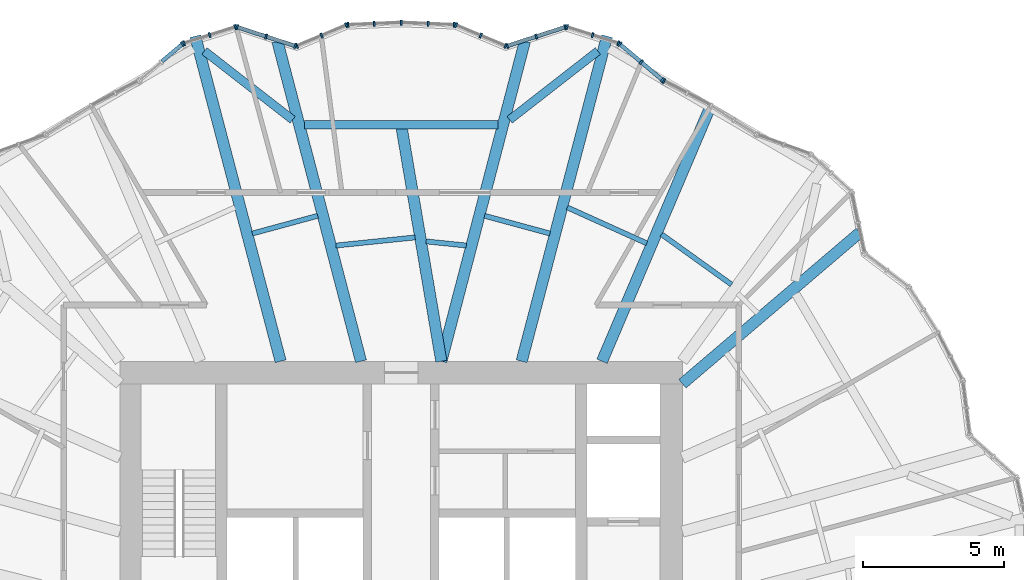
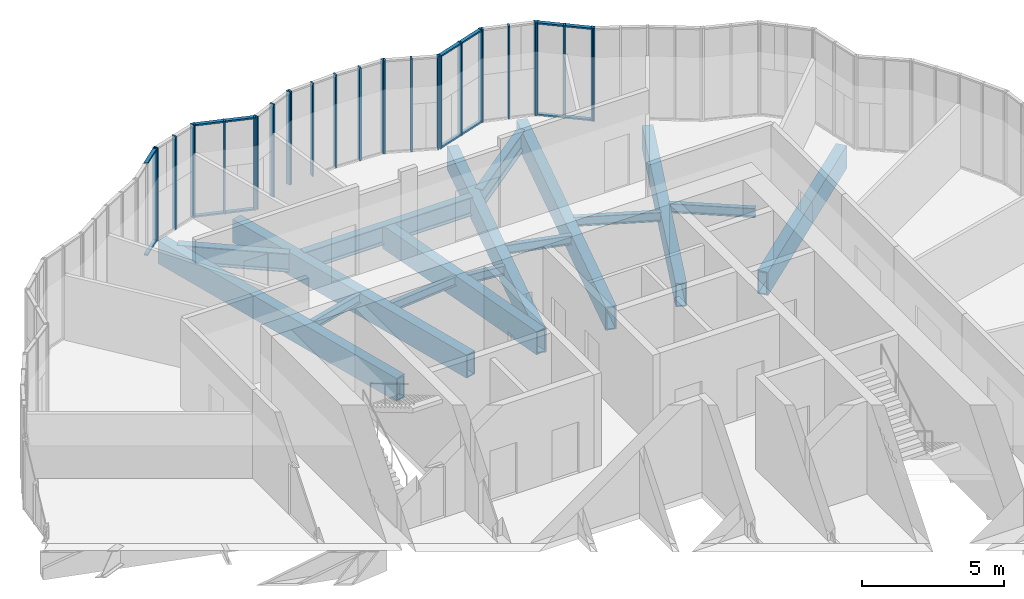
# One storey, part 8 of 23: 42 members, 16 beams, 11 elements without a shape of their own.
"""IFC4 building model written with IfcOpenShell, lengths in metres."""

from ifc_helpers import new_model, si_unit, direction, frame, origin, origin_2d, place, context, subcontext, project, spatial, rectangle, hollow_rectangle, i_section, extrude, material, material_profile, profile_set, type_object, element, aggregate, save


model = new_model("IFC4")

# Units and contexts
model_context = context("Model", 3, precision=1e-05, world=origin(), true_north=direction((0.0, 1.0)))
body_context = subcontext(model_context, "Body", "Model", "MODEL_VIEW")
ifc_project = project(units=[si_unit("LENGTHUNIT", "METRE"), si_unit("AREAUNIT", "SQUARE_METRE"), si_unit("VOLUMEUNIT", "CUBIC_METRE"), si_unit("PLANEANGLEUNIT", "RADIAN"), si_unit("MASSUNIT", "GRAM", prefix="KILO")], contexts=[model_context])

# Site, building, storey
site_placement = place(None, origin())
site = spatial("IfcSite", under=ifc_project, at=site_placement, CompositionType="ELEMENT")
building_placement = place(site_placement, origin())
building = spatial("IfcBuilding", under=site, at=building_placement, Name="Golbaran Civic Tower", CompositionType="ELEMENT")
storey_placement = place(building_placement, frame((0.0, 0.0, 33.0)))
storey = spatial("IfcBuildingStorey", under=building, at=storey_placement, Name="L07", CompositionType="ELEMENT", Elevation=33.0)

# Beams
ifc_material_1 = material(Name="Steel S355", Category="steel")
ifc_material_profile_1 = material_profile(ifc_material_1, i_section(OverallWidth=0.300048828125, OverallDepth=0.800048828125, WebThickness=0.017578125, FlangeThickness=0.032958984375, FilletRadius=0.030029296875, at=origin_2d()), Name="HEB 800")
ifc_profile_set_1 = profile_set([ifc_material_profile_1], Name="Steel S355")
beam_type_1 = type_object("IfcBeamType", Name="EDGE BEAM HEB 800", PredefinedType="BEAM", material=ifc_profile_set_1)
beam_1_placement = place(storey_placement, frame((6.996337890625, 21.03173828125, -0.60009765625), z_axis=(-0.789008486352, -0.6143822983, 0.0), x_axis=(0.6143822983, -0.789008486352, 0.0)))
element("IfcBeam", 1, at=beam_1_placement, inside=storey, type_object=beam_type_1, Name="Edge beam 71.36 L07", PredefinedType="BEAM", context=body_context, shape_type="SweptSolid", body=[
    extrude(i_section(OverallWidth=0.300048828125, OverallDepth=0.800048828125, WebThickness=0.017578125, FlangeThickness=0.032958984375, FilletRadius=0.030029296875, at=origin_2d()), origin(), (0.0, 0.0, 1.0), 3.97900390625),
])
beam_2_placement = place(storey_placement, frame((3.437255859375, 18.4052734375, -0.60009765625), z_axis=(-1.0, 0.0, 0.0), x_axis=(0.0, -1.0, 0.0)))
element("IfcBeam", 2, at=beam_2_placement, inside=storey, type_object=beam_type_1, Name="Edge beam 78.26 L07", PredefinedType="BEAM", context=body_context, shape_type="SweptSolid", body=[
    extrude(i_section(OverallWidth=0.300048828125, OverallDepth=0.800048828125, WebThickness=0.017578125, FlangeThickness=0.032958984375, FilletRadius=0.030029296875, at=origin_2d()), origin(), (0.0, 0.0, 1.0), 6.87451171875),
])
beam_3_placement = place(storey_placement, frame((-3.85693359375, 18.587158203125, -0.60009765625), z_axis=(-0.789008486352, 0.6143822983, 0.0), x_axis=(-0.6143822983, -0.789008486352, 0.0)))
element("IfcBeam", 3, at=beam_3_placement, inside=storey, type_object=beam_type_1, Name="Edge beam 101.74 L07", PredefinedType="BEAM", context=body_context, shape_type="SweptSolid", body=[
    extrude(i_section(OverallWidth=0.300048828125, OverallDepth=0.800048828125, WebThickness=0.017578125, FlangeThickness=0.032958984375, FilletRadius=0.030029296875, at=origin_2d()), origin(), (0.0, 0.0, 1.0), 3.97900390625),
])
ifc_material_profile_2 = material_profile(ifc_material_1, i_section(OverallWidth=0.179931640625, OverallDepth=0.39990234375, WebThickness=0.008544921875, FlangeThickness=0.013427734375, FilletRadius=0.02099609375, at=origin_2d()), Name="IPE 400")
ifc_profile_set_2 = profile_set([ifc_material_profile_2], Name="Steel S355")
beam_type_2 = type_object("IfcBeamType", Name="FLOOR INFILL BEAM IPE 400", PredefinedType="BEAM", material=ifc_profile_set_2)
beam_4_placement = place(storey_placement, frame((11.7490234375, 12.72705078125, -0.39990234375), z_axis=(-0.812266627807, 0.583286315073, 0.0), x_axis=(-0.583286315073, -0.812266627807, 0.0)))
element("IfcBeam", 4, at=beam_4_placement, inside=storey, type_object=beam_type_2, Name="Infill beam 54.32 L07", PredefinedType="BEAM", context=body_context, shape_type="SweptSolid", body=[
    extrude(i_section(OverallWidth=0.179931640625, OverallDepth=0.39990234375, WebThickness=0.008544921875, FlangeThickness=0.013427734375, FilletRadius=0.02099609375, at=origin_2d()), origin(), (0.0, 0.0, 1.0), 3.064208984375),
])
beam_5_placement = place(storey_placement, frame((8.732421875, 14.19384765625, -0.39990234375), z_axis=(-0.91125999693, 0.411831540798, 0.0), x_axis=(-0.411831540798, -0.91125999693, 0.0)))
element("IfcBeam", 5, at=beam_5_placement, inside=storey, type_object=beam_type_2, Name="Infill beam 65.68 L07", PredefinedType="BEAM", context=body_context, shape_type="SweptSolid", body=[
    extrude(i_section(OverallWidth=0.179931640625, OverallDepth=0.39990234375, WebThickness=0.008544921875, FlangeThickness=0.013427734375, FilletRadius=0.02099609375, at=origin_2d()), origin(), (0.0, 0.0, 1.0), 3.099365234375),
])
beam_6_placement = place(storey_placement, frame((5.292236328125, 14.54150390625, -0.39990234375), z_axis=(-0.965080908902, 0.261951978945, 0.0), x_axis=(-0.261951978945, -0.965080908902, 0.0)))
element("IfcBeam", 6, at=beam_6_placement, inside=storey, type_object=beam_type_2, Name="Infill beam 74.81 L07", PredefinedType="BEAM", context=body_context, shape_type="SweptSolid", body=[
    extrude(i_section(OverallWidth=0.179931640625, OverallDepth=0.39990234375, WebThickness=0.008544921875, FlangeThickness=0.013427734375, FilletRadius=0.02099609375, at=origin_2d()), origin(), (0.0, 0.0, 1.0), 2.4111328125),
])
beam_7_placement = place(storey_placement, frame((2.31689453125, 14.114501953125, -0.39990234375), z_axis=(-0.994743807616, 0.102395103447, 0.0), x_axis=(-0.102395103447, -0.994743807616, 0.0)))
element("IfcBeam", 7, at=beam_7_placement, inside=storey, type_object=beam_type_2, Name="Infill beam 84.13 L07", PredefinedType="BEAM", context=body_context, shape_type="SweptSolid", body=[
    extrude(i_section(OverallWidth=0.179931640625, OverallDepth=0.39990234375, WebThickness=0.008544921875, FlangeThickness=0.013427734375, FilletRadius=0.02099609375, at=origin_2d()), origin(), (0.0, 0.0, 1.0), 1.437744140625),
])
beam_8_placement = place(storey_placement, frame((0.49755859375, 14.404052734375, -0.39990234375), z_axis=(-0.994749501514, -0.10233977349, 0.0), x_axis=(0.10233977349, -0.994749501514, 0.0)))
element("IfcBeam", 8, at=beam_8_placement, inside=storey, type_object=beam_type_2, Name="Infill beam 95.87 L07", PredefinedType="BEAM", context=body_context, shape_type="SweptSolid", body=[
    extrude(i_section(OverallWidth=0.179931640625, OverallDepth=0.39990234375, WebThickness=0.008544921875, FlangeThickness=0.013427734375, FilletRadius=0.02099609375, at=origin_2d()), origin(), (0.0, 0.0, 1.0), 2.829345703125),
])
beam_9_placement = place(storey_placement, frame((-2.96533203125, 15.173095703125, -0.39990234375), z_axis=(-0.965080908902, -0.261951978945, 0.0), x_axis=(0.261951978945, -0.965080908902, 0.0)))
element("IfcBeam", 9, at=beam_9_placement, inside=storey, type_object=beam_type_2, Name="Infill beam 105.19 L07", PredefinedType="BEAM", context=body_context, shape_type="SweptSolid", body=[
    extrude(i_section(OverallWidth=0.179931640625, OverallDepth=0.39990234375, WebThickness=0.008544921875, FlangeThickness=0.013427734375, FilletRadius=0.02099609375, at=origin_2d()), origin(), (0.0, 0.0, 1.0), 2.4111328125),
])

# Curtain wall, member
ifc_material_2 = material(Name="Aluminium and glass", Category="aluminium")
curtain_wall_type = type_object("IfcCurtainWallType", Name="INNER SKIN CURTAIN WALL", PredefinedType="NOTDEFINED", material=ifc_material_2)
curtain_wall_1_placement = place(storey_placement, origin())
curtain_wall_1 = element("IfcCurtainWall", 10, at=curtain_wall_1_placement, inside=storey, type_object=curtain_wall_type, Name="Inner skin L07 facet 13 CW1", ObjectType="INNER SKIN", PredefinedType="USERDEFINED")
ifc_material_3 = material(Name="Aluminium", Category="aluminium")
ifc_material_profile_3 = material_profile(ifc_material_3, rectangle(XDim=0.179931640625, YDim=0.06494140625, at=origin_2d()), Name="INNER SKIN CURTAIN WALL MULLION")
ifc_profile_set_3 = profile_set([ifc_material_profile_3], Name="Aluminium")
member_type_1 = type_object("IfcMemberType", Name="INNER SKIN CURTAIN WALL MULLION", PredefinedType="MULLION", material=ifc_profile_set_3)
member_1_placement = place(storey_placement, frame((9.345458984375, 19.964599609375, 0.0), z_axis=(0.0, 0.0, 1.0), x_axis=(-0.461748613297, -0.887010833146, 0.0)))
member_1 = element("IfcMember", 11, at=member_1_placement, type_object=member_type_1, Name="CW1 mullion 3", PredefinedType="MULLION", context=body_context, shape_type="SweptSolid", body=[
    extrude(rectangle(XDim=0.179931640625, YDim=0.06494140625, at=origin_2d()), origin(), (0.0, 0.0, 1.0), 4.0),
])
aggregate(curtain_wall_1, [member_1])

# Curtain wall, members
curtain_wall_2_placement = place(storey_placement, origin())
curtain_wall_2 = element("IfcCurtainWall", 12, at=curtain_wall_2_placement, inside=storey, type_object=curtain_wall_type, Name="Inner skin L07 facet 14 CW1", ObjectType="INNER SKIN", PredefinedType="USERDEFINED")
member_2_placement = place(storey_placement, frame((9.291748046875, 20.00048828125, 0.0), z_axis=(0.0, 0.0, 1.0), x_axis=(-0.644395385113, -0.764692479135, 0.0)))
member_2 = element("IfcMember", 13, at=member_2_placement, type_object=member_type_1, Name="CW1 mullion 1", PredefinedType="MULLION", context=body_context, shape_type="SweptSolid", body=[
    extrude(rectangle(XDim=0.179931640625, YDim=0.06494140625, at=origin_2d()), origin(), (0.0, 0.0, 1.0), 4.0),
])
member_3_placement = place(storey_placement, frame((8.5341796875, 20.638916015625, 0.0), z_axis=(0.0, 0.0, 1.0), x_axis=(-0.644395385113, -0.764692479135, 0.0)))
member_3 = element("IfcMember", 14, at=member_3_placement, type_object=member_type_1, Name="CW1 mullion 2", PredefinedType="MULLION", context=body_context, shape_type="SweptSolid", body=[
    extrude(rectangle(XDim=0.179931640625, YDim=0.06494140625, at=origin_2d()), origin(), (0.0, 0.0, 1.0), 4.0),
])
member_4_placement = place(storey_placement, frame((7.77685546875, 21.277099609375, 0.0), z_axis=(0.0, 0.0, 1.0), x_axis=(-0.644395385113, -0.764692479135, 0.0)))
member_4 = element("IfcMember", 15, at=member_4_placement, type_object=member_type_1, Name="CW1 mullion 3", PredefinedType="MULLION", context=body_context, shape_type="SweptSolid", body=[
    extrude(rectangle(XDim=0.179931640625, YDim=0.06494140625, at=origin_2d()), origin(), (0.0, 0.0, 1.0), 4.0),
])

curtain_wall_3_placement = place(storey_placement, origin())
curtain_wall_3 = element("IfcCurtainWall", 16, at=curtain_wall_3_placement, inside=storey, type_object=curtain_wall_type, Name="Inner skin L07 facet 15 CW1", ObjectType="INNER SKIN", PredefinedType="USERDEFINED")
member_5_placement = place(storey_placement, frame((7.720947265625, 21.307861328125, 0.0), z_axis=(0.0, 0.0, 1.0), x_axis=(-0.300705799654, -0.953716950701, 0.0)))
member_5 = element("IfcMember", 17, at=member_5_placement, type_object=member_type_1, Name="CW1 mullion 1", PredefinedType="MULLION", context=body_context, shape_type="SweptSolid", body=[
    extrude(rectangle(XDim=0.179931640625, YDim=0.06494140625, at=origin_2d()), origin(), (0.0, 0.0, 1.0), 4.0),
])
member_6_placement = place(storey_placement, frame((6.80908203125, 21.595458984375, 0.0), z_axis=(0.0, 0.0, 1.0), x_axis=(-0.300705799654, -0.953716950701, 0.0)))
member_6 = element("IfcMember", 18, at=member_6_placement, type_object=member_type_1, Name="CW1 mullion 2", PredefinedType="MULLION", context=body_context, shape_type="SweptSolid", body=[
    extrude(rectangle(XDim=0.179931640625, YDim=0.06494140625, at=origin_2d()), origin(), (0.0, 0.0, 1.0), 4.0),
])
member_7_placement = place(storey_placement, frame((5.897216796875, 21.883056640625, 0.0), z_axis=(0.0, 0.0, 1.0), x_axis=(-0.300705799654, -0.953716950701, 0.0)))
member_7 = element("IfcMember", 19, at=member_7_placement, type_object=member_type_1, Name="CW1 mullion 3", PredefinedType="MULLION", context=body_context, shape_type="SweptSolid", body=[
    extrude(rectangle(XDim=0.179931640625, YDim=0.06494140625, at=origin_2d()), origin(), (0.0, 0.0, 1.0), 4.0),
])
aggregate(curtain_wall_3, [member_5, member_6, member_7])

curtain_wall_4_placement = place(storey_placement, origin())
curtain_wall_4 = element("IfcCurtainWall", 20, at=curtain_wall_4_placement, inside=storey, type_object=curtain_wall_type, Name="Inner skin L07 facet 16 CW1", ObjectType="INNER SKIN", PredefinedType="USERDEFINED")
member_8_placement = place(storey_placement, frame((5.835205078125, 21.882568359375, 0.0), z_axis=(0.0, 0.0, 1.0), x_axis=(0.309925480738, -0.950760851313, 0.0)))
member_8 = element("IfcMember", 21, at=member_8_placement, type_object=member_type_1, Name="CW1 mullion 1", PredefinedType="MULLION", context=body_context, shape_type="SweptSolid", body=[
    extrude(rectangle(XDim=0.179931640625, YDim=0.06494140625, at=origin_2d()), origin(), (0.0, 0.0, 1.0), 4.0),
])
member_9_placement = place(storey_placement, frame((4.802001953125, 21.5458984375, 0.0), z_axis=(0.0, 0.0, 1.0), x_axis=(0.309925480738, -0.950760851313, 0.0)))
member_9 = element("IfcMember", 22, at=member_9_placement, type_object=member_type_1, Name="CW1 mullion 2", PredefinedType="MULLION", context=body_context, shape_type="SweptSolid", body=[
    extrude(rectangle(XDim=0.179931640625, YDim=0.06494140625, at=origin_2d()), origin(), (0.0, 0.0, 1.0), 4.0),
])
member_10_placement = place(storey_placement, frame((3.768798828125, 21.208984375, 0.0), z_axis=(0.0, 0.0, 1.0), x_axis=(0.309925480738, -0.950760851313, 0.0)))
member_10 = element("IfcMember", 23, at=member_10_placement, type_object=member_type_1, Name="CW1 mullion 3", PredefinedType="MULLION", context=body_context, shape_type="SweptSolid", body=[
    extrude(rectangle(XDim=0.179931640625, YDim=0.06494140625, at=origin_2d()), origin(), (0.0, 0.0, 1.0), 4.0),
])

curtain_wall_5_placement = place(storey_placement, origin())
curtain_wall_5 = element("IfcCurtainWall", 24, at=curtain_wall_5_placement, inside=storey, type_object=curtain_wall_type, Name="Inner skin L07 facet 17 CW1", ObjectType="INNER SKIN", PredefinedType="USERDEFINED")
member_11_placement = place(storey_placement, frame((3.7080078125, 21.21142578125, 0.0), z_axis=(0.0, 0.0, 1.0), x_axis=(-0.38687321243, -0.922132917482, 0.0)))
member_11 = element("IfcMember", 25, at=member_11_placement, type_object=member_type_1, Name="CW1 mullion 1", PredefinedType="MULLION", context=body_context, shape_type="SweptSolid", body=[
    extrude(rectangle(XDim=0.179931640625, YDim=0.06494140625, at=origin_2d()), origin(), (0.0, 0.0, 1.0), 4.0),
])
member_12_placement = place(storey_placement, frame((2.82958984375, 21.580078125, 0.0), z_axis=(0.0, 0.0, 1.0), x_axis=(-0.38687321243, -0.922132917482, 0.0)))
member_12 = element("IfcMember", 26, at=member_12_placement, type_object=member_type_1, Name="CW1 mullion 2", PredefinedType="MULLION", context=body_context, shape_type="SweptSolid", body=[
    extrude(rectangle(XDim=0.179931640625, YDim=0.06494140625, at=origin_2d()), origin(), (0.0, 0.0, 1.0), 4.0),
])
member_13_placement = place(storey_placement, frame((1.951416015625, 21.948486328125, 0.0), z_axis=(0.0, 0.0, 1.0), x_axis=(-0.38687321243, -0.922132917482, 0.0)))
member_13 = element("IfcMember", 27, at=member_13_placement, type_object=member_type_1, Name="CW1 mullion 3", PredefinedType="MULLION", context=body_context, shape_type="SweptSolid", body=[
    extrude(rectangle(XDim=0.179931640625, YDim=0.06494140625, at=origin_2d()), origin(), (0.0, 0.0, 1.0), 4.0),
])
aggregate(curtain_wall_5, [member_11, member_12, member_13])

curtain_wall_6_placement = place(storey_placement, origin())
curtain_wall_6 = element("IfcCurtainWall", 28, at=curtain_wall_6_placement, inside=storey, type_object=curtain_wall_type, Name="Inner skin L07 facet 18 CW1", ObjectType="INNER SKIN", PredefinedType="USERDEFINED")
member_14_placement = place(storey_placement, frame((1.888916015625, 21.962646484375, 0.0), z_axis=(0.0, 0.0, 1.0), x_axis=(-0.043619387592, -0.999048221572, 0.0)))
member_14 = element("IfcMember", 29, at=member_14_placement, type_object=member_type_1, Name="CW1 mullion 1", PredefinedType="MULLION", context=body_context, shape_type="SweptSolid", body=[
    extrude(rectangle(XDim=0.179931640625, YDim=0.06494140625, at=origin_2d()), origin(), (0.0, 0.0, 1.0), 4.0),
])
member_15_placement = place(storey_placement, frame((0.960693359375, 22.003173828125, 0.0), z_axis=(0.0, 0.0, 1.0), x_axis=(-0.043619387592, -0.999048221572, 0.0)))
member_15 = element("IfcMember", 30, at=member_15_placement, type_object=member_type_1, Name="CW1 mullion 2", PredefinedType="MULLION", context=body_context, shape_type="SweptSolid", body=[
    extrude(rectangle(XDim=0.179931640625, YDim=0.06494140625, at=origin_2d()), origin(), (0.0, 0.0, 1.0), 4.0),
])
member_16_placement = place(storey_placement, frame((0.0, 22.044921875, 0.0), z_axis=(0.0, 0.0, 1.0), x_axis=(-1.05e-10, -1.0, 0.0)))
member_16 = element("IfcMember", 31, at=member_16_placement, type_object=member_type_1, Name="CW1 mullion 3", PredefinedType="MULLION", context=body_context, shape_type="SweptSolid", body=[
    extrude(rectangle(XDim=0.179931640625, YDim=0.06494140625, at=origin_2d()), origin(), (0.0, 0.0, 1.0), 4.0),
])
aggregate(curtain_wall_6, [member_14, member_15, member_16])

curtain_wall_7_placement = place(storey_placement, origin())
curtain_wall_7 = element("IfcCurtainWall", 32, at=curtain_wall_7_placement, inside=storey, type_object=curtain_wall_type, Name="Inner skin L07 facet 19 CW1", ObjectType="INNER SKIN", PredefinedType="USERDEFINED")
member_17_placement = place(storey_placement, frame((-0.960693359375, 22.003173828125, 0.0), z_axis=(0.0, 0.0, 1.0), x_axis=(0.043619387592, -0.999048221572, 0.0)))
member_17 = element("IfcMember", 33, at=member_17_placement, type_object=member_type_1, Name="CW1 mullion 2", PredefinedType="MULLION", context=body_context, shape_type="SweptSolid", body=[
    extrude(rectangle(XDim=0.179931640625, YDim=0.06494140625, at=origin_2d()), origin(), (0.0, 0.0, 1.0), 4.0),
])
member_18_placement = place(storey_placement, frame((-1.888916015625, 21.962646484375, 0.0), z_axis=(0.0, 0.0, 1.0), x_axis=(0.043619387592, -0.999048221572, 0.0)))
member_18 = element("IfcMember", 34, at=member_18_placement, type_object=member_type_1, Name="CW1 mullion 3", PredefinedType="MULLION", context=body_context, shape_type="SweptSolid", body=[
    extrude(rectangle(XDim=0.179931640625, YDim=0.06494140625, at=origin_2d()), origin(), (0.0, 0.0, 1.0), 4.0),
])
aggregate(curtain_wall_7, [member_17, member_18])

curtain_wall_8_placement = place(storey_placement, origin())
curtain_wall_8 = element("IfcCurtainWall", 35, at=curtain_wall_8_placement, inside=storey, type_object=curtain_wall_type, Name="Inner skin L07 facet 20 CW1", ObjectType="INNER SKIN", PredefinedType="USERDEFINED")
member_19_placement = place(storey_placement, frame((-1.951416015625, 21.948486328125, 0.0), z_axis=(0.0, 0.0, 1.0), x_axis=(0.38687321243, -0.922132917482, 0.0)))
member_19 = element("IfcMember", 36, at=member_19_placement, type_object=member_type_1, Name="CW1 mullion 1", PredefinedType="MULLION", context=body_context, shape_type="SweptSolid", body=[
    extrude(rectangle(XDim=0.179931640625, YDim=0.06494140625, at=origin_2d()), origin(), (0.0, 0.0, 1.0), 4.0),
])
member_20_placement = place(storey_placement, frame((-2.82958984375, 21.580078125, 0.0), z_axis=(0.0, 0.0, 1.0), x_axis=(0.38687321243, -0.922132917482, 0.0)))
member_20 = element("IfcMember", 37, at=member_20_placement, type_object=member_type_1, Name="CW1 mullion 2", PredefinedType="MULLION", context=body_context, shape_type="SweptSolid", body=[
    extrude(rectangle(XDim=0.179931640625, YDim=0.06494140625, at=origin_2d()), origin(), (0.0, 0.0, 1.0), 4.0),
])
member_21_placement = place(storey_placement, frame((-3.7080078125, 21.21142578125, 0.0), z_axis=(0.0, 0.0, 1.0), x_axis=(0.38687321243, -0.922132917482, 0.0)))
member_21 = element("IfcMember", 38, at=member_21_placement, type_object=member_type_1, Name="CW1 mullion 3", PredefinedType="MULLION", context=body_context, shape_type="SweptSolid", body=[
    extrude(rectangle(XDim=0.179931640625, YDim=0.06494140625, at=origin_2d()), origin(), (0.0, 0.0, 1.0), 4.0),
])
aggregate(curtain_wall_8, [member_19, member_20, member_21])

curtain_wall_9_placement = place(storey_placement, origin())
curtain_wall_9 = element("IfcCurtainWall", 39, at=curtain_wall_9_placement, inside=storey, type_object=curtain_wall_type, Name="Inner skin L07 facet 21 CW1", ObjectType="INNER SKIN", PredefinedType="USERDEFINED")
member_22_placement = place(storey_placement, frame((-3.768798828125, 21.208984375, 0.0), z_axis=(0.0, 0.0, 1.0), x_axis=(-0.309925480738, -0.950760851313, 0.0)))
member_22 = element("IfcMember", 40, at=member_22_placement, type_object=member_type_1, Name="CW1 mullion 1", PredefinedType="MULLION", context=body_context, shape_type="SweptSolid", body=[
    extrude(rectangle(XDim=0.179931640625, YDim=0.06494140625, at=origin_2d()), origin(), (0.0, 0.0, 1.0), 4.0),
])
member_23_placement = place(storey_placement, frame((-4.802001953125, 21.5458984375, 0.0), z_axis=(0.0, 0.0, 1.0), x_axis=(-0.309925480738, -0.950760851313, 0.0)))
member_23 = element("IfcMember", 41, at=member_23_placement, type_object=member_type_1, Name="CW1 mullion 2", PredefinedType="MULLION", context=body_context, shape_type="SweptSolid", body=[
    extrude(rectangle(XDim=0.179931640625, YDim=0.06494140625, at=origin_2d()), origin(), (0.0, 0.0, 1.0), 4.0),
])
member_24_placement = place(storey_placement, frame((-5.835205078125, 21.882568359375, 0.0), z_axis=(0.0, 0.0, 1.0), x_axis=(-0.309925480738, -0.950760851313, 0.0)))
member_24 = element("IfcMember", 42, at=member_24_placement, type_object=member_type_1, Name="CW1 mullion 3", PredefinedType="MULLION", context=body_context, shape_type="SweptSolid", body=[
    extrude(rectangle(XDim=0.179931640625, YDim=0.06494140625, at=origin_2d()), origin(), (0.0, 0.0, 1.0), 4.0),
])

curtain_wall_10_placement = place(storey_placement, origin())
curtain_wall_10 = element("IfcCurtainWall", 43, at=curtain_wall_10_placement, inside=storey, type_object=curtain_wall_type, Name="Inner skin L07 facet 22 CW1", ObjectType="INNER SKIN", PredefinedType="USERDEFINED")
member_25_placement = place(storey_placement, frame((-5.897216796875, 21.883056640625, 0.0), z_axis=(0.0, 0.0, 1.0), x_axis=(0.300705799654, -0.953716950701, 0.0)))
member_25 = element("IfcMember", 44, at=member_25_placement, type_object=member_type_1, Name="CW1 mullion 1", PredefinedType="MULLION", context=body_context, shape_type="SweptSolid", body=[
    extrude(rectangle(XDim=0.179931640625, YDim=0.06494140625, at=origin_2d()), origin(), (0.0, 0.0, 1.0), 4.0),
])
member_26_placement = place(storey_placement, frame((-6.80908203125, 21.595458984375, 0.0), z_axis=(0.0, 0.0, 1.0), x_axis=(0.300705799654, -0.953716950701, 0.0)))
member_26 = element("IfcMember", 45, at=member_26_placement, type_object=member_type_1, Name="CW1 mullion 2", PredefinedType="MULLION", context=body_context, shape_type="SweptSolid", body=[
    extrude(rectangle(XDim=0.179931640625, YDim=0.06494140625, at=origin_2d()), origin(), (0.0, 0.0, 1.0), 4.0),
])
member_27_placement = place(storey_placement, frame((-7.720947265625, 21.307861328125, 0.0), z_axis=(0.0, 0.0, 1.0), x_axis=(0.300705799654, -0.953716950701, 0.0)))
member_27 = element("IfcMember", 46, at=member_27_placement, type_object=member_type_1, Name="CW1 mullion 3", PredefinedType="MULLION", context=body_context, shape_type="SweptSolid", body=[
    extrude(rectangle(XDim=0.179931640625, YDim=0.06494140625, at=origin_2d()), origin(), (0.0, 0.0, 1.0), 4.0),
])
aggregate(curtain_wall_10, [member_25, member_26, member_27])

# Curtain wall, member
curtain_wall_11_placement = place(storey_placement, origin())
curtain_wall_11 = element("IfcCurtainWall", 47, at=curtain_wall_11_placement, inside=storey, type_object=curtain_wall_type, Name="Inner skin L07 facet 23 CW1", ObjectType="INNER SKIN", PredefinedType="USERDEFINED")
member_28_placement = place(storey_placement, frame((-7.77685546875, 21.277099609375, 0.0), z_axis=(0.0, 0.0, 1.0), x_axis=(0.644395385113, -0.764692479135, 0.0)))
member_28 = element("IfcMember", 48, at=member_28_placement, type_object=member_type_1, Name="CW1 mullion 1", PredefinedType="MULLION", context=body_context, shape_type="SweptSolid", body=[
    extrude(rectangle(XDim=0.179931640625, YDim=0.06494140625, at=origin_2d()), origin(), (0.0, 0.0, 1.0), 4.0),
])

# Member
ifc_material_profile_4 = material_profile(ifc_material_3, rectangle(XDim=0.139892578125, YDim=0.06494140625, at=origin_2d()), Name="INNER SKIN CURTAIN WALL TRANSOM")
ifc_profile_set_4 = profile_set([ifc_material_profile_4], Name="Aluminium")
member_type_2 = type_object("IfcMemberType", Name="INNER SKIN CURTAIN WALL TRANSOM", PredefinedType="USERDEFINED", material=ifc_profile_set_4)
member_29_placement = place(storey_placement, frame((9.266845703125, 20.021484375, 0.032470703125), z_axis=(-0.76468542423, 0.644403756949, 0.0), x_axis=(-0.644403756949, -0.76468542423, 0.0)))
member_29 = element("IfcMember", 49, at=member_29_placement, type_object=member_type_2, Name="CW1 transom 1.1", ObjectType="TRANSOM", PredefinedType="USERDEFINED", context=body_context, shape_type="SweptSolid", body=[
    extrude(rectangle(XDim=0.139892578125, YDim=0.06494140625, at=origin_2d()), origin(), (0.0, 0.0, 1.0), 0.925537109375),
])

member_30_placement = place(storey_placement, frame((9.266845703125, 20.021484375, 3.967529296875), z_axis=(-0.76468542423, 0.644403756949, 0.0), x_axis=(-0.644403756949, -0.76468542423, 0.0)))
member_30 = element("IfcMember", 50, at=member_30_placement, type_object=member_type_2, Name="CW1 transom 1.2", ObjectType="TRANSOM", PredefinedType="USERDEFINED", context=body_context, shape_type="SweptSolid", body=[
    extrude(rectangle(XDim=0.139892578125, YDim=0.06494140625, at=origin_2d()), origin(), (0.0, 0.0, 1.0), 0.925537109375),
])

member_31_placement = place(storey_placement, frame((8.509521484375, 20.65966796875, 0.032470703125), z_axis=(-0.764664986207, 0.644428009066, 0.0), x_axis=(-0.644428009066, -0.764664986207, 0.0)))
member_31 = element("IfcMember", 51, at=member_31_placement, type_object=member_type_2, Name="CW1 transom 2.1", ObjectType="TRANSOM", PredefinedType="USERDEFINED", context=body_context, shape_type="SweptSolid", body=[
    extrude(rectangle(XDim=0.139892578125, YDim=0.06494140625, at=origin_2d()), origin(), (0.0, 0.0, 1.0), 0.926025390625),
])

member_32_placement = place(storey_placement, frame((8.509521484375, 20.65966796875, 3.967529296875), z_axis=(-0.764664986207, 0.644428009066, 0.0), x_axis=(-0.644428009066, -0.764664986207, 0.0)))
member_32 = element("IfcMember", 52, at=member_32_placement, type_object=member_type_2, Name="CW1 transom 2.2", ObjectType="TRANSOM", PredefinedType="USERDEFINED", context=body_context, shape_type="SweptSolid", body=[
    extrude(rectangle(XDim=0.139892578125, YDim=0.06494140625, at=origin_2d()), origin(), (0.0, 0.0, 1.0), 0.926025390625),
])

aggregate(curtain_wall_2, [member_2, member_3, member_4, member_29, member_30, member_31, member_32])

member_33_placement = place(storey_placement, frame((5.804443359375, 21.87255859375, 0.032470703125), z_axis=(-0.950765047477, -0.309912607836, 0.0), x_axis=(0.309912607836, -0.950765047477, 0.0)))
member_33 = element("IfcMember", 53, at=member_33_placement, type_object=member_type_2, Name="CW1 transom 1.1", ObjectType="TRANSOM", PredefinedType="USERDEFINED", context=body_context, shape_type="SweptSolid", body=[
    extrude(rectangle(XDim=0.139892578125, YDim=0.06494140625, at=origin_2d()), origin(), (0.0, 0.0, 1.0), 1.021728515625),
])

member_34_placement = place(storey_placement, frame((5.804443359375, 21.87255859375, 3.967529296875), z_axis=(-0.950765047477, -0.309912607836, 0.0), x_axis=(0.309912607836, -0.950765047477, 0.0)))
member_34 = element("IfcMember", 54, at=member_34_placement, type_object=member_type_2, Name="CW1 transom 1.2", ObjectType="TRANSOM", PredefinedType="USERDEFINED", context=body_context, shape_type="SweptSolid", body=[
    extrude(rectangle(XDim=0.139892578125, YDim=0.06494140625, at=origin_2d()), origin(), (0.0, 0.0, 1.0), 1.021728515625),
])

member_35_placement = place(storey_placement, frame((4.771240234375, 21.535888671875, 0.032470703125), z_axis=(-0.950765047477, -0.309912607836, 0.0), x_axis=(0.309912607836, -0.950765047477, 0.0)))
member_35 = element("IfcMember", 55, at=member_35_placement, type_object=member_type_2, Name="CW1 transom 2.1", ObjectType="TRANSOM", PredefinedType="USERDEFINED", context=body_context, shape_type="SweptSolid", body=[
    extrude(rectangle(XDim=0.139892578125, YDim=0.06494140625, at=origin_2d()), origin(), (0.0, 0.0, 1.0), 1.021728515625),
])

member_36_placement = place(storey_placement, frame((4.771240234375, 21.535888671875, 3.967529296875), z_axis=(-0.950765047477, -0.309912607836, 0.0), x_axis=(0.309912607836, -0.950765047477, 0.0)))
member_36 = element("IfcMember", 56, at=member_36_placement, type_object=member_type_2, Name="CW1 transom 2.2", ObjectType="TRANSOM", PredefinedType="USERDEFINED", context=body_context, shape_type="SweptSolid", body=[
    extrude(rectangle(XDim=0.139892578125, YDim=0.06494140625, at=origin_2d()), origin(), (0.0, 0.0, 1.0), 1.021728515625),
])

aggregate(curtain_wall_4, [member_8, member_9, member_10, member_33, member_34, member_35, member_36])

member_37_placement = place(storey_placement, frame((-3.7998046875, 21.21923828125, 0.032470703125), z_axis=(-0.950765047477, 0.309912607836, 0.0), x_axis=(-0.309912607836, -0.950765047477, 0.0)))
member_37 = element("IfcMember", 57, at=member_37_placement, type_object=member_type_2, Name="CW1 transom 1.1", ObjectType="TRANSOM", PredefinedType="USERDEFINED", context=body_context, shape_type="SweptSolid", body=[
    extrude(rectangle(XDim=0.139892578125, YDim=0.06494140625, at=origin_2d()), origin(), (0.0, 0.0, 1.0), 1.021728515625),
])

member_38_placement = place(storey_placement, frame((-3.7998046875, 21.21923828125, 3.967529296875), z_axis=(-0.950765047477, 0.309912607836, 0.0), x_axis=(-0.309912607836, -0.950765047477, 0.0)))
member_38 = element("IfcMember", 58, at=member_38_placement, type_object=member_type_2, Name="CW1 transom 1.2", ObjectType="TRANSOM", PredefinedType="USERDEFINED", context=body_context, shape_type="SweptSolid", body=[
    extrude(rectangle(XDim=0.139892578125, YDim=0.06494140625, at=origin_2d()), origin(), (0.0, 0.0, 1.0), 1.021728515625),
])

member_39_placement = place(storey_placement, frame((-4.8330078125, 21.555908203125, 0.032470703125), z_axis=(-0.950765047477, 0.309912607836, 0.0), x_axis=(-0.309912607836, -0.950765047477, 0.0)))
member_39 = element("IfcMember", 59, at=member_39_placement, type_object=member_type_2, Name="CW1 transom 2.1", ObjectType="TRANSOM", PredefinedType="USERDEFINED", context=body_context, shape_type="SweptSolid", body=[
    extrude(rectangle(XDim=0.139892578125, YDim=0.06494140625, at=origin_2d()), origin(), (0.0, 0.0, 1.0), 1.021728515625),
])

member_40_placement = place(storey_placement, frame((-4.8330078125, 21.555908203125, 3.967529296875), z_axis=(-0.950765047477, 0.309912607836, 0.0), x_axis=(-0.309912607836, -0.950765047477, 0.0)))
member_40 = element("IfcMember", 60, at=member_40_placement, type_object=member_type_2, Name="CW1 transom 2.2", ObjectType="TRANSOM", PredefinedType="USERDEFINED", context=body_context, shape_type="SweptSolid", body=[
    extrude(rectangle(XDim=0.139892578125, YDim=0.06494140625, at=origin_2d()), origin(), (0.0, 0.0, 1.0), 1.021728515625),
])

aggregate(curtain_wall_9, [member_22, member_23, member_24, member_37, member_38, member_39, member_40])

member_41_placement = place(storey_placement, frame((-7.801513671875, 21.25634765625, 0.032470703125), z_axis=(-0.764664986207, -0.644428009066, 0.0), x_axis=(0.644428009066, -0.764664986207, 0.0)))
member_41 = element("IfcMember", 61, at=member_41_placement, type_object=member_type_2, Name="CW1 transom 1.1", ObjectType="TRANSOM", PredefinedType="USERDEFINED", context=body_context, shape_type="SweptSolid", body=[
    extrude(rectangle(XDim=0.139892578125, YDim=0.06494140625, at=origin_2d()), origin(), (0.0, 0.0, 1.0), 0.926025390625),
])

member_42_placement = place(storey_placement, frame((-7.801513671875, 21.25634765625, 3.967529296875), z_axis=(-0.764664986207, -0.644428009066, 0.0), x_axis=(0.644428009066, -0.764664986207, 0.0)))
member_42 = element("IfcMember", 62, at=member_42_placement, type_object=member_type_2, Name="CW1 transom 1.2", ObjectType="TRANSOM", PredefinedType="USERDEFINED", context=body_context, shape_type="SweptSolid", body=[
    extrude(rectangle(XDim=0.139892578125, YDim=0.06494140625, at=origin_2d()), origin(), (0.0, 0.0, 1.0), 0.926025390625),
])

aggregate(curtain_wall_11, [member_28, member_41, member_42])

# Beams
ifc_material_profile_5 = material_profile(ifc_material_1, hollow_rectangle(XDim=0.39990234375, YDim=1.0, WallThickness=0.050048828125, at=origin_2d()), Name="BOX 1000x400x50")
ifc_profile_set_5 = profile_set([ifc_material_profile_5], Name="Steel S355")
beam_type_3 = type_object("IfcBeamType", Name="RADIAL FLOOR BEAM BOX 1000x400x50", PredefinedType="BEAM", material=ifc_profile_set_5)
beam_10_placement = place(storey_placement, frame((10.0, 9.199951171875, -0.7099609375), z_axis=(0.761054184056, 0.648688314163, 0.0), x_axis=(-0.648688314163, 0.761054184056, 0.0)))
element("IfcBeam", 63, at=beam_10_placement, inside=storey, type_object=beam_type_3, Name="Radial beam 41.74 L07", PredefinedType="BEAM", context=body_context, shape_type="SweptSolid", body=[
    extrude(hollow_rectangle(XDim=0.39990234375, YDim=1.0, WallThickness=0.050048828125, at=origin_2d()), origin(), (0.0, 0.0, 1.0), 8.2890625),
])
beam_11_placement = place(storey_placement, frame((4.28564453125, 10.0, -0.7099609375), z_axis=(0.25397743751, 0.967210143266, 0.0), x_axis=(-0.967210143266, 0.25397743751, 0.0)))
element("IfcBeam", 64, at=beam_11_placement, inside=storey, type_object=beam_type_3, Name="Radial beam 71.36 L07", PredefinedType="BEAM", context=body_context, shape_type="SweptSolid", body=[
    extrude(hollow_rectangle(XDim=0.39990234375, YDim=1.0, WallThickness=0.050048828125, at=origin_2d()), origin(), (0.0, 0.0, 1.0), 11.951416015625),
])
for number, where, z_axis, x_axis, name in (
    (65, (1.428466796875, 10.0, -0.7099609375), (0.252669542688, 0.967552635363, 0.0), (-0.967552635363, 0.252669542688, 0.0), "Radial beam 78.26 L07"),
    (66, (-1.428466796875, 10.0, -0.7099609375), (-0.252669542688, 0.967552635363, 0.0), (-0.967552635363, -0.252669542688, 0.0), "Radial beam 101.74 L07"),
):
    element("IfcBeam", number, at=place(storey_placement, frame(where, z_axis=z_axis, x_axis=x_axis)), inside=storey, type_object=beam_type_3, Name=name, PredefinedType="BEAM", context=body_context, shape_type="SweptSolid", body=[
        extrude(hollow_rectangle(XDim=0.39990234375, YDim=1.0, WallThickness=0.050048828125, at=origin_2d()), origin(), (0.0, 0.0, 1.0), 11.75830078125),
    ])
beam_12_placement = place(storey_placement, frame((-4.28564453125, 10.0, -0.7099609375), z_axis=(-0.25397743751, 0.967210143266, 0.0), x_axis=(-0.967210143266, -0.25397743751, 0.0)))
element("IfcBeam", 67, at=beam_12_placement, inside=storey, type_object=beam_type_3, Name="Radial beam 108.64 L07", PredefinedType="BEAM", context=body_context, shape_type="SweptSolid", body=[
    extrude(hollow_rectangle(XDim=0.39990234375, YDim=1.0, WallThickness=0.050048828125, at=origin_2d()), origin(), (0.0, 0.0, 1.0), 11.951416015625),
])
ifc_material_profile_6 = material_profile(ifc_material_1, hollow_rectangle(XDim=0.39990234375, YDim=1.0, WallThickness=0.0400390625, at=origin_2d()), Name="BOX 1000x400x40")
ifc_profile_set_6 = profile_set([ifc_material_profile_6], Name="Steel S355")
beam_type_4 = type_object("IfcBeamType", Name="SECONDARY FLOOR BEAM BOX 1000x400x40", PredefinedType="BEAM", material=ifc_profile_set_6)
beam_13_placement = place(storey_placement, frame((7.142822265625, 10.0, -0.7099609375), z_axis=(0.391659612274, 0.920110182594, 0.0), x_axis=(-0.920110182594, 0.391659612274, 0.0)))
element("IfcBeam", 68, at=beam_13_placement, inside=storey, type_object=beam_type_4, Name="Secondary beam 60.00 L07", PredefinedType="BEAM", context=body_context, shape_type="SweptSolid", body=[
    extrude(hollow_rectangle(XDim=0.39990234375, YDim=1.0, WallThickness=0.0400390625, at=origin_2d()), origin(), (0.0, 0.0, 1.0), 9.810791015625),
])
beam_14_placement = place(storey_placement, frame((1.428466796875, 10.0, -0.7099609375), z_axis=(-0.167546510794, 0.985864172552, 0.0), x_axis=(-0.985864172552, -0.167546510794, 0.0)))
element("IfcBeam", 69, at=beam_14_placement, inside=storey, type_object=beam_type_4, Name="Secondary beam 90.00 L07", PredefinedType="BEAM", context=body_context, shape_type="SweptSolid", body=[
    extrude(hollow_rectangle(XDim=0.39990234375, YDim=1.0, WallThickness=0.0400390625, at=origin_2d()), origin(), (0.0, 0.0, 1.0), 8.52587890625),
])

save(model, "model.ifc")
